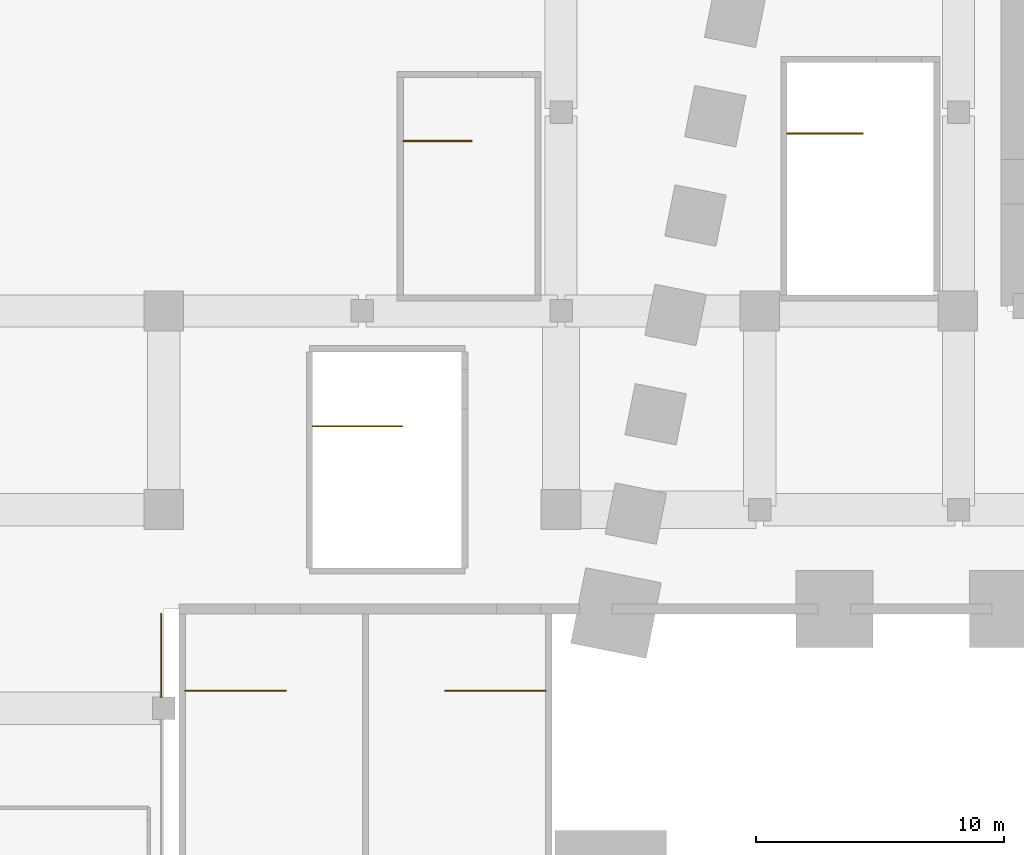
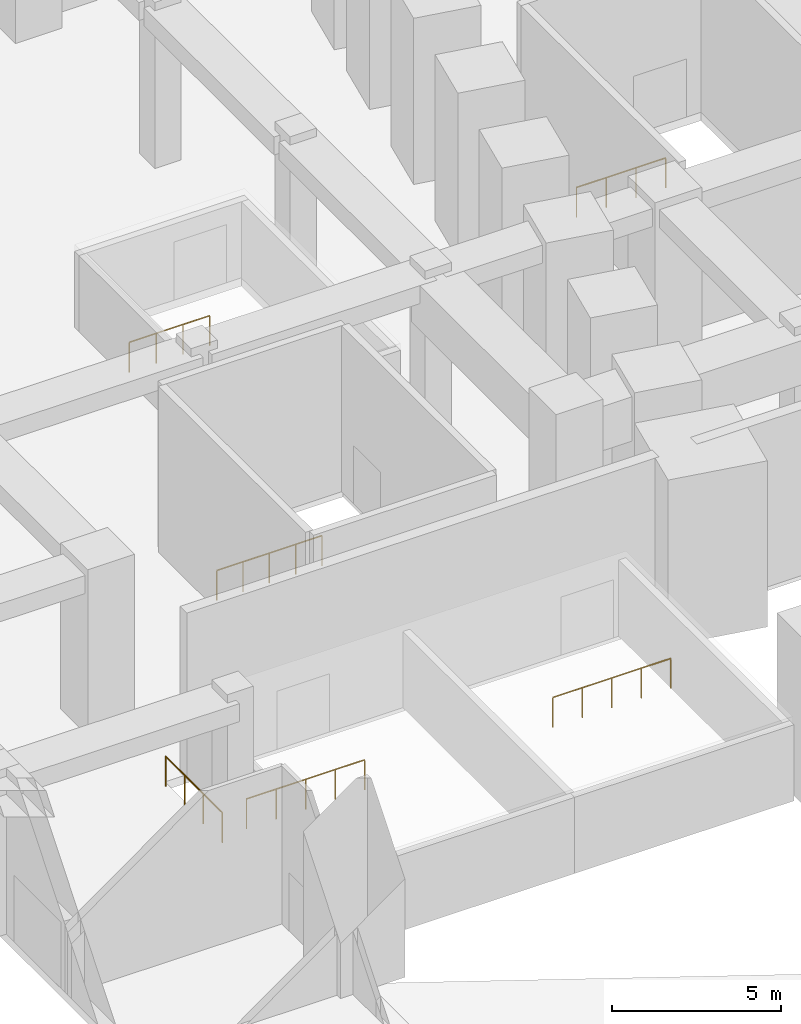
# One storey, part 21 of 28: 6 railings.
"""IFC4 building model written with IfcOpenShell, lengths in metres."""

from ifc_helpers import new_model, si_unit, direction, frame, origin, origin_2d, place, context, subcontext, project, spatial, circle, extrude, material, type_object, element, save


model = new_model("IFC4")

# Units and contexts
model_context = context("Model", 3, precision=1e-05, world=origin(), true_north=direction((0.0, 1.0)))
body_context = subcontext(model_context, "Body", "Model", "MODEL_VIEW")
ifc_project = project(units=[si_unit("LENGTHUNIT", "METRE"), si_unit("AREAUNIT", "SQUARE_METRE"), si_unit("VOLUMEUNIT", "CUBIC_METRE"), si_unit("PLANEANGLEUNIT", "RADIAN"), si_unit("MASSUNIT", "GRAM", prefix="KILO")], contexts=[model_context])

# Site, building, storey
site_placement = place(None, origin())
site = spatial("IfcSite", under=ifc_project, at=site_placement, CompositionType="ELEMENT")
building_placement = place(site_placement, origin())
building = spatial("IfcBuilding", under=site, at=building_placement, Name="Isbrekke Arena Tower", CompositionType="ELEMENT")
storey_placement = place(building_placement, origin())
storey = spatial("IfcBuildingStorey", under=building, at=storey_placement, Name="L00", CompositionType="ELEMENT", Elevation=0.0)

# Railings
ifc_material_1 = material(Name="Laminated glass balustrade, steel handrail", Category="steel")
railing_type_1 = type_object("IfcRailingType", Name="GR1 GUARD 1100 GLASS BALUSTRADE", PredefinedType="BALUSTRADE", material=ifc_material_1)
railing_1_placement = place(storey_placement, frame((-48.10009765625, -6.199951171875, 0.0)))
element("IfcRailing", 1, at=railing_1_placement, inside=storey, type_object=railing_type_1, Name="GR1 concourse edge guard W1 L00", PredefinedType="BALUSTRADE", context=body_context, shape_type="SweptSolid", body=[
    extrude(circle(Radius=0.02392578125, at=origin_2d()), frame((0.0, 0.0, 1.076171875), z_axis=(0.0, -1.0, 0.0), x_axis=(1.0, 0.0, 0.0)), (0.0, 0.0, 1.0), 3.35009765625),
    extrude(circle(Radius=0.02099609375, at=origin_2d()), origin(), (0.0, 0.0, 1.0), 1.052001953125),
    extrude(circle(Radius=0.02099609375, at=origin_2d()), frame((0.0, -1.11669921875, 0.0)), (0.0, 0.0, 1.0), 1.052001953125),
    extrude(circle(Radius=0.02099609375, at=origin_2d()), frame((0.0, -2.2333984375, 0.0)), (0.0, 0.0, 1.0), 1.052001953125),
    extrude(circle(Radius=0.02099609375, at=origin_2d()), frame((0.0, -3.35009765625, 0.0)), (0.0, 0.0, 1.0), 1.052001953125),
])
ifc_material_2 = material(Name="Steel stair guard, vertical bars, steel handrail", Category="steel")
railing_type_2 = type_object("IfcRailingType", Name="GR3 STAIR WELL GUARD 1100", PredefinedType="GUARDRAIL", material=ifc_material_2)
railing_2_placement = place(storey_placement, frame((-42.0, 1.35009765625, 0.0)))
element("IfcRailing", 2, at=railing_2_placement, inside=storey, type_object=railing_type_2, Name="GR3 stair well guard V2 L00", PredefinedType="GUARDRAIL", context=body_context, shape_type="SweptSolid", body=[
    extrude(circle(Radius=0.02392578125, at=origin_2d()), frame((0.0, 0.0, 1.076171875), z_axis=(1.0, 0.0, 0.0), x_axis=(0.0, 1.0, 0.0)), (0.0, 0.0, 1.0), 3.60009765625),
    extrude(circle(Radius=0.02099609375, at=origin_2d()), origin(), (0.0, 0.0, 1.0), 1.052001953125),
    extrude(circle(Radius=0.02099609375, at=origin_2d()), frame((0.89990234375, 0.0, 0.0)), (0.0, 0.0, 1.0), 1.052001953125),
    extrude(circle(Radius=0.02099609375, at=origin_2d()), frame((1.800048828125, 0.0, 0.0)), (0.0, 0.0, 1.0), 1.052001953125),
    extrude(circle(Radius=0.02099609375, at=origin_2d()), frame((2.7001953125, 0.0, 0.0)), (0.0, 0.0, 1.0), 1.052001953125),
    extrude(circle(Radius=0.02099609375, at=origin_2d()), frame((3.60009765625, 0.0, 0.0)), (0.0, 0.0, 1.0), 1.052001953125),
])
for number, where, name in (
    (3, (-36.659912109375, -9.294921875, 0.0), "GR3 stair well guard X3 L00"),
    (4, (-47.125, -9.294921875, 0.0), "GR3 stair well guard X4 L00"),
):
    element("IfcRailing", number, at=place(storey_placement, frame(where)), inside=storey, type_object=railing_type_2, Name=name, PredefinedType="GUARDRAIL", context=body_context, shape_type="SweptSolid", body=[
        extrude(circle(Radius=0.02392578125, at=origin_2d()), frame((0.0, 0.0, 1.076171875), z_axis=(1.0, 0.0, 0.0), x_axis=(0.0, 1.0, 0.0)), (0.0, 0.0, 1.0), 4.034912109375),
        extrude(circle(Radius=0.02099609375, at=origin_2d()), origin(), (0.0, 0.0, 1.0), 1.052001953125),
        extrude(circle(Radius=0.02099609375, at=origin_2d()), frame((1.0087890625, 0.0, 0.0)), (0.0, 0.0, 1.0), 1.052001953125),
        extrude(circle(Radius=0.02099609375, at=origin_2d()), frame((2.017578125, 0.0, 0.0)), (0.0, 0.0, 1.0), 1.052001953125),
        extrude(circle(Radius=0.02099609375, at=origin_2d()), frame((3.026123046875, 0.0, 0.0)), (0.0, 0.0, 1.0), 1.052001953125),
        extrude(circle(Radius=0.02099609375, at=origin_2d()), frame((4.034912109375, 0.0, 0.0)), (0.0, 0.0, 1.0), 1.052001953125),
    ])
railing_3_placement = place(storey_placement, frame((-22.89990234375, 13.139892578125, 0.0)))
element("IfcRailing", 5, at=railing_3_placement, inside=storey, type_object=railing_type_2, Name="GR3 stair well guard X6 L00", PredefinedType="GUARDRAIL", context=body_context, shape_type="SweptSolid", body=[
    extrude(circle(Radius=0.02392578125, at=origin_2d()), frame((0.0, 0.0, 1.076171875), z_axis=(1.0, 0.0, 0.0), x_axis=(0.0, 1.0, 0.0)), (0.0, 0.0, 1.0), 3.0498046875),
    extrude(circle(Radius=0.02099609375, at=origin_2d()), origin(), (0.0, 0.0, 1.0), 1.052001953125),
    extrude(circle(Radius=0.02099609375, at=origin_2d()), frame((1.0166015625, 0.0, 0.0)), (0.0, 0.0, 1.0), 1.052001953125),
    extrude(circle(Radius=0.02099609375, at=origin_2d()), frame((2.033203125, 0.0, 0.0)), (0.0, 0.0, 1.0), 1.052001953125),
    extrude(circle(Radius=0.02099609375, at=origin_2d()), frame((3.0498046875, 0.0, 0.0)), (0.0, 0.0, 1.0), 1.052001953125),
])
railing_4_placement = place(storey_placement, frame((-38.35009765625, 12.840087890625, 0.0)))
element("IfcRailing", 6, at=railing_4_placement, inside=storey, type_object=railing_type_2, Name="GR3 stair well guard X8 L00", PredefinedType="GUARDRAIL", context=body_context, shape_type="SweptSolid", body=[
    extrude(circle(Radius=0.02392578125, at=origin_2d()), frame((0.0, 0.0, 1.076171875), z_axis=(1.0, 0.0, 0.0), x_axis=(0.0, 1.0, 0.0)), (0.0, 0.0, 1.0), 2.75),
    extrude(circle(Radius=0.02099609375, at=origin_2d()), origin(), (0.0, 0.0, 1.0), 1.052001953125),
    extrude(circle(Radius=0.02099609375, at=origin_2d()), frame((0.916748046875, 0.0, 0.0)), (0.0, 0.0, 1.0), 1.052001953125),
    extrude(circle(Radius=0.02099609375, at=origin_2d()), frame((1.833251953125, 0.0, 0.0)), (0.0, 0.0, 1.0), 1.052001953125),
    extrude(circle(Radius=0.02099609375, at=origin_2d()), frame((2.75, 0.0, 0.0)), (0.0, 0.0, 1.0), 1.052001953125),
])

save(model, "model.ifc")
